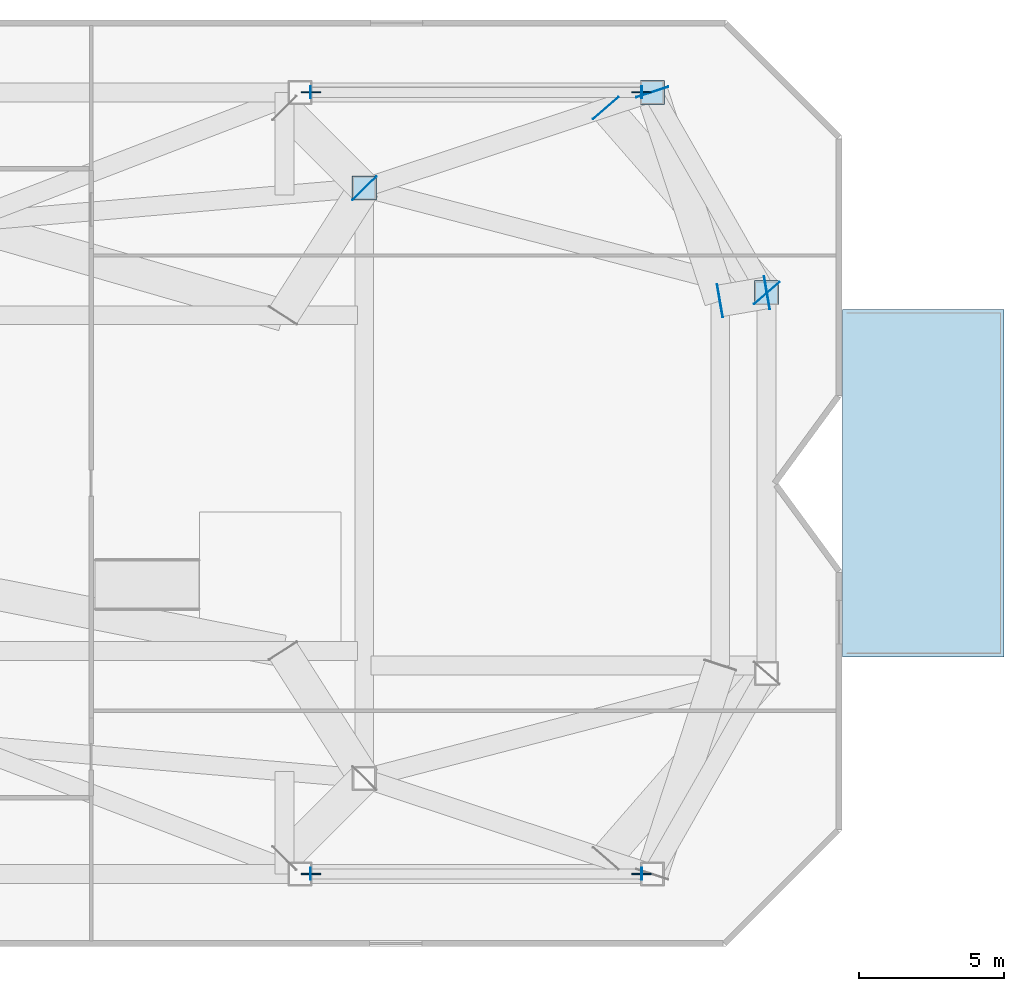
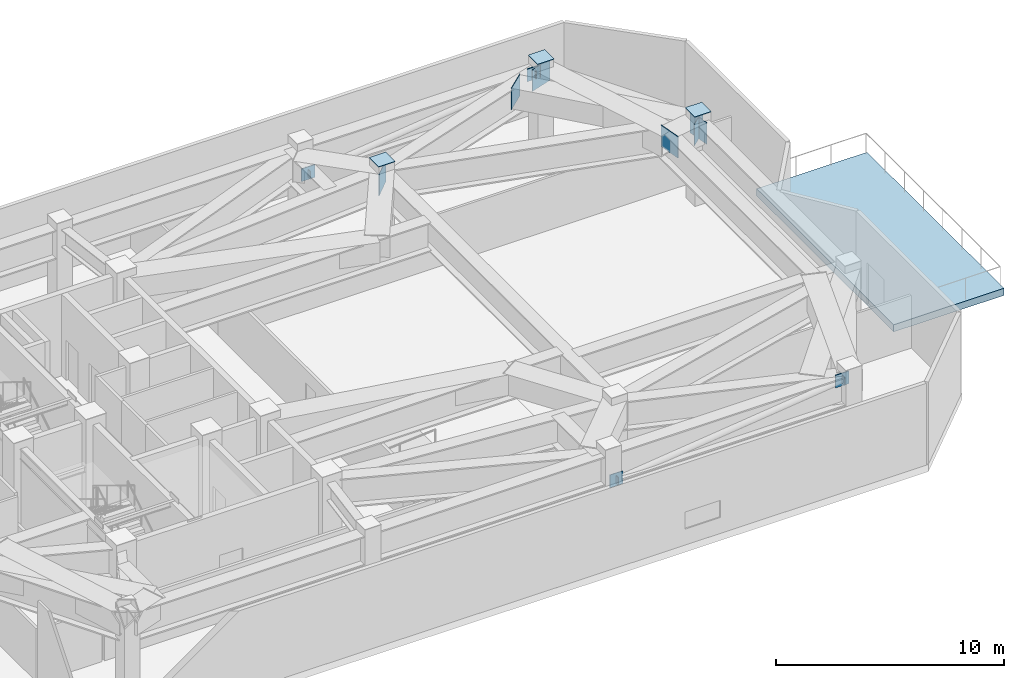
# One storey, part 6 of 11: 17 plates, 1 slab.
"""IFC4 building model written with IfcOpenShell, lengths in metres."""

from ifc_helpers import new_model, si_unit, direction, frame, origin, origin_2d, place, context, subcontext, project, spatial, polyline, rectangle, outline, extrude, material, layer, layer_set, type_object, element, save


model = new_model("IFC4")

# Units and contexts
model_context = context("Model", 3, precision=1e-05, world=origin(), true_north=direction((0.0, 1.0)))
body_context = subcontext(model_context, "Body", "Model", "MODEL_VIEW")
ifc_project = project(units=[si_unit("LENGTHUNIT", "METRE"), si_unit("AREAUNIT", "SQUARE_METRE"), si_unit("VOLUMEUNIT", "CUBIC_METRE"), si_unit("PLANEANGLEUNIT", "RADIAN"), si_unit("MASSUNIT", "GRAM", prefix="KILO")], contexts=[model_context])

# Site, building, storey
site_placement = place(None, origin())
site = spatial("IfcSite", under=ifc_project, at=site_placement, CompositionType="ELEMENT")
building_placement = place(site_placement, origin())
building = spatial("IfcBuilding", under=site, at=building_placement, Name="Khamvora Tower", CompositionType="ELEMENT")
storey_placement = place(building_placement, frame((0.0, 0.0, 264.64990234375)))
storey = spatial("IfcBuildingStorey", under=building, at=storey_placement, Name="L68", CompositionType="ELEMENT", Elevation=264.64990234375)

# Plates
ifc_material_1 = material(Name="Steel S355", Category="steel")
ifc_layer_1 = layer(ifc_material_1, 0.02490234375)
ifc_layer_set_1 = layer_set([ifc_layer_1], Name="Steel S355")
plate_type_1 = type_object("IfcPlateType", Name="PL-CAP-25", PredefinedType="SHEET", material=ifc_layer_set_1)
for number, where, z_axis, x_axis, name in (
    (1, (63.25, 41.5, 4.775634765625), (0.0, 0.0, 1.0), (1.0, 0.0, 0.0), "L68 hollow section steel end cap plate 0245"),
    (2, (67.199951171875, 34.580078125, 4.775634765625), (0.0, 0.0, 1.0), (1.0, 0.0, 0.0), "L68 hollow section steel end cap plate 0253"),
    (3, (53.300048828125, 38.199951171875, 4.775634765625), (0.0, 0.0, 1.0), (1.0, 0.0, 0.0), "L68 hollow section steel end cap plate 0257"),
):
    element("IfcPlate", number, at=place(storey_placement, frame(where, z_axis=z_axis, x_axis=x_axis)), inside=storey, type_object=plate_type_1, Name=name, PredefinedType="SHEET", context=body_context, shape_type="SweptSolid", body=[
        extrude(rectangle(XDim=0.830078125, YDim=0.830078125, at=origin_2d()), origin(), (0.0, 0.0, 1.0), 0.02490234375),
    ])
for number, where, z_axis, x_axis, name in (
    (4, (51.447998046875, 14.5, 2.51513671875), (0.0, 0.0, 1.0), (1.0, 0.0, 0.0), "L68 hollow section steel end cap plate 1186"),
    (5, (62.885009765625, 14.5, 3.862060546875), (0.0, 0.0, 1.0), (1.0, 0.0, 0.0), "L68 hollow section steel end cap plate 1187"),
    (6, (51.447998046875, 41.5, 2.51513671875), (0.0, 0.0, 1.0), (1.0, 0.0, 0.0), "L68 hollow section steel end cap plate 1188"),
    (7, (62.885009765625, 41.5, 3.862060546875), (0.0, 0.0, 1.0), (1.0, 0.0, 0.0), "L68 hollow section steel end cap plate 1189"),
):
    element("IfcPlate", number, at=place(storey_placement, frame(where, z_axis=z_axis, x_axis=x_axis)), inside=storey, type_object=plate_type_1, Name=name, PredefinedType="SHEET", context=body_context, shape_type="SweptSolid", body=[
        extrude(rectangle(XDim=0.02490234375, YDim=0.416015625, at=origin_2d()), origin(), (0.0, 0.0, 1.0), 0.416015625),
    ])
for number, where, z_axis, x_axis, name in (
    (8, (53.30908203125, 38.19091796875, 3.25), (0.0, 0.0, 1.0), (-0.707106781187, 0.707106781187, 0.0), "L68 hollow section steel end cap plate 1200"),
    (9, (67.2080078125, 34.56591796875, 3.25), (0.0, 0.0, 1.0), (-0.656612083693, 0.75422846111, 0.0), "L68 hollow section steel end cap plate 1202"),
    (10, (61.64208984375, 40.958984375, 3.25), (0.0, 0.0, 1.0), (-0.656612083693, 0.75422846111, 0.0), "L68 hollow section steel end cap plate 1203"),
    (11, (67.2119140625, 34.576904296875, 3.25), (0.0, 0.0, 1.0), (-0.985550147045, -0.169383906142, 0.0), "L68 hollow section steel end cap plate 1208"),
    (12, (65.587890625, 34.298095703125, 3.25), (0.0, 0.0, 1.0), (-0.985550147045, -0.169383906142, 0.0), "L68 hollow section steel end cap plate 1209"),
    (13, (63.24609375, 41.511962890625, 3.25), (0.0, 0.0, 1.0), (0.310278251288, -0.950645784074, 0.0), "L68 hollow section steel end cap plate 1210"),
):
    element("IfcPlate", number, at=place(storey_placement, frame(where, z_axis=z_axis, x_axis=x_axis)), inside=storey, type_object=plate_type_1, Name=name, PredefinedType="SHEET", context=body_context, shape_type="SweptSolid", body=[
        extrude(rectangle(XDim=0.02490234375, YDim=1.159912109375, at=origin_2d()), origin(), (0.0, 0.0, 1.0), 1.159912109375),
    ])
ifc_material_2 = material(Name="Steel S460", Category="steel")
ifc_layer_2 = layer(ifc_material_2, 0.0400390625)
ifc_layer_set_2 = layer_set([ifc_layer_2], Name="Steel S460")
plate_type_2 = type_object("IfcPlateType", Name="PLT-GUS-40", PredefinedType="SHEET", material=ifc_layer_set_2)
for number, where, z_axis, x_axis, name in (
    (14, (51.4599609375, 14.5, 2.38427734375), (0.0, 0.0, 1.0), (1.0, 0.0, 0.0), "L68 brace connection node gusset plate 0429"),
    (15, (62.873046875, 14.5, 3.72900390625), (0.0, 0.0, 1.0), (1.0, 0.0, 0.0), "L68 brace connection node gusset plate 0430"),
    (16, (51.4599609375, 41.5, 2.38427734375), (0.0, 0.0, 1.0), (1.0, 0.0, 0.0), "L68 brace connection node gusset plate 0431"),
    (17, (62.873046875, 41.5, 3.72900390625), (0.0, 0.0, 1.0), (1.0, 0.0, 0.0), "L68 brace connection node gusset plate 0432"),
):
    element("IfcPlate", number, at=place(storey_placement, frame(where, z_axis=z_axis, x_axis=x_axis)), inside=storey, type_object=plate_type_2, Name=name, PredefinedType="SHEET", context=body_context, shape_type="SweptSolid", body=[
        extrude(rectangle(XDim=0.679931640625, YDim=0.0400390625, at=origin_2d()), origin(), (0.0, 0.0, 1.0), 0.679931640625),
    ])

# Slab
ifc_material_3 = material(Name="Concrete C40/50", Category="concrete")
ifc_layer_3 = layer(ifc_material_3, 0.3798828125)
ifc_layer_set_3 = layer_set([ifc_layer_3], Name="Concrete C40/50")
slab_type = type_object("IfcSlabType", Name="SLB-POOL-380", PredefinedType="FLOOR", material=ifc_layer_set_3)
slab_placement = place(storey_placement, frame((0.0, 0.0, -0.3798828125)))
element("IfcSlab", 18, at=slab_placement, inside=storey, type_object=slab_type, Name="L68 cantilevered sky pool structural deck slab", PredefinedType="FLOOR", context=body_context, shape_type="SweptSolid", body=[
    extrude(outline(polyline([(69.820068359375, 22.0), (75.39990234375, 22.0), (75.39990234375, 34.0), (69.820068359375, 34.0), (69.820068359375, 22.0)])), origin(), (0.0, 0.0, 1.0), 0.3798828125),
])

save(model, "model.ifc")
